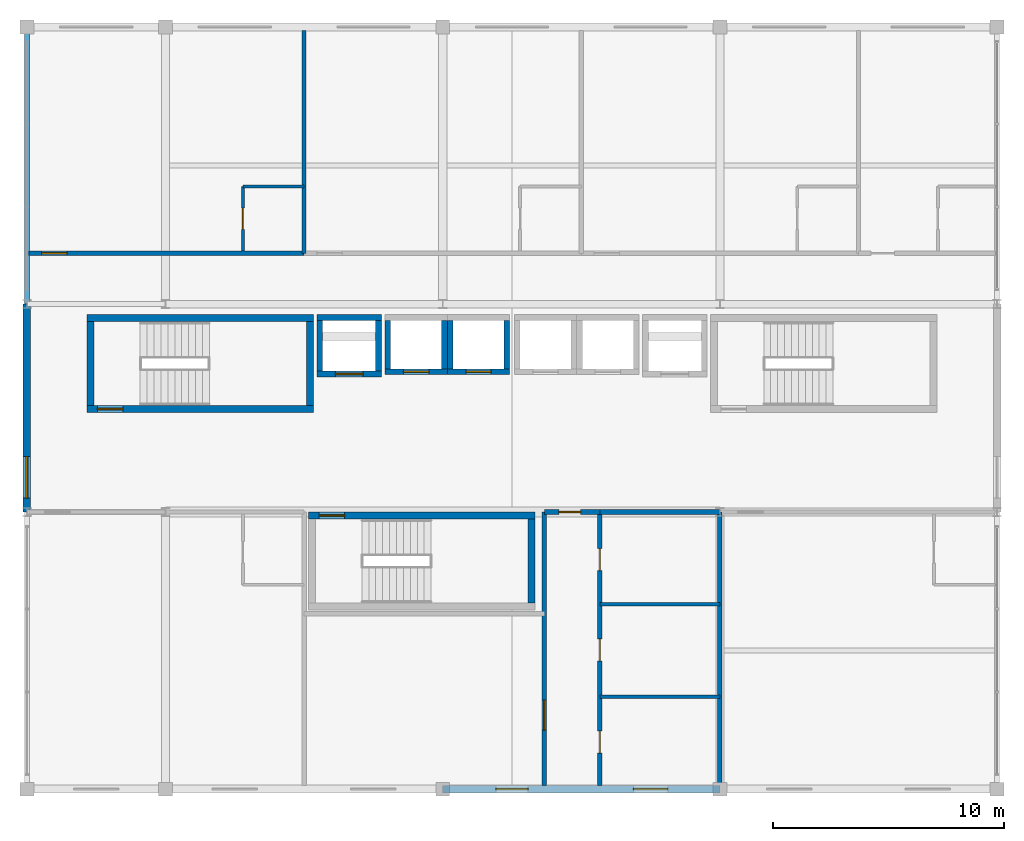
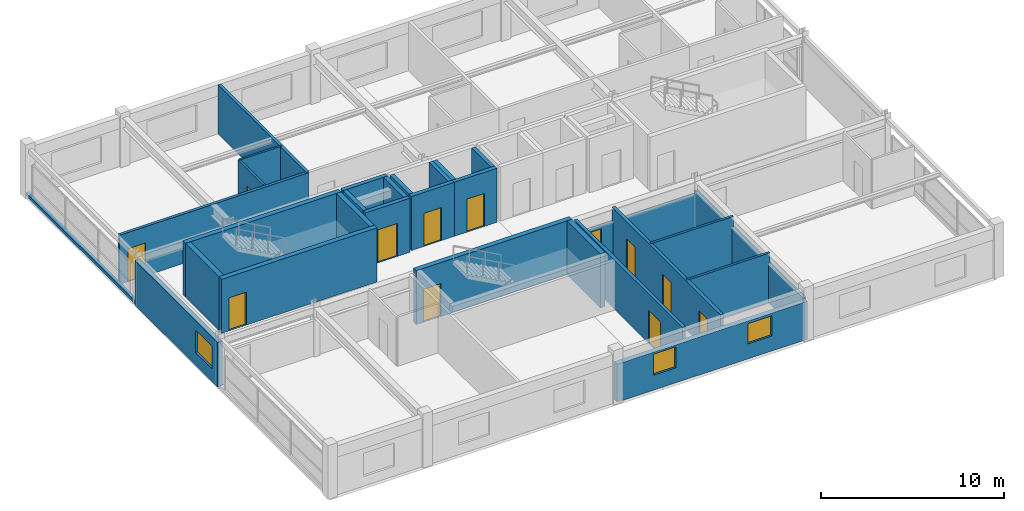
# One storey, part 19 of 22: 30 walls, 12 doors, 3 windows, 15 openings.
"""IFC4 building model written with IfcOpenShell, lengths in metres."""

import ifcopenshell
import ifcopenshell.guid

model = None  # the IFC model being written
_history = None  # IfcOwnerHistory: only IFC2X3 demands one
_inside = {}  # id of a spatial element -> (the spatial element, [elements in it])
_under = {}  # id of a project, library or spatial element -> (it, [spatial elements below it])
_declared = {}  # id of a project -> (the project, [libraries it declares])
_typed = {}  # id of a type object -> (the type object, [elements of that type])
_made_of = {}  # id of a material, layer set ... -> (it, [elements and type objects made of it])


def new_model(schema):
    """Start an empty IFC model of exactly this schema.

    Asked for "IFC4X3", IfcOpenShell would pick the latest addendum, in which some entities
    have other attributes; the version numbers below select the first issue.
    IFC2X3 requires an IfcOwnerHistory on every rooted entity: one is made here for all.
    """
    global model, _history
    if schema == "IFC4X3":
        model = ifcopenshell.file(schema_version=(4, 3, 0, 0))
    else:
        model = ifcopenshell.file(schema=schema)
    _inside.clear()
    _under.clear()
    _declared.clear()
    _typed.clear()
    _made_of.clear()
    _history = None
    if model.schema == "IFC2X3":
        org = make("IfcOrganization", Name="unknown")
        user = make(
            "IfcPersonAndOrganization",
            ThePerson=make("IfcPerson", FamilyName="unknown"),
            TheOrganization=org,
        )
        app = make(
            "IfcApplication",
            ApplicationDeveloper=org,
            Version="unknown",
            ApplicationFullName="unknown",
            ApplicationIdentifier="unknown",
        )
        _history = make(
            "IfcOwnerHistory",
            OwningUser=user,
            OwningApplication=app,
            ChangeAction="ADDED",
            CreationDate=0,
        )
    return model


def make(cls, **values):
    """One entity of the class cls with the attributes given. An attribute that is None is left unset."""
    return model.create_entity(
        cls, **{name: value for name, value in values.items() if value is not None}
    )


def rooted(cls, **values):
    """An entity with a GlobalId (a new one), such as an element, a storey or a relation."""
    return make(cls, GlobalId=ifcopenshell.guid.new(), OwnerHistory=_history, **values)


def si_unit(unit_type, name, prefix=None):
    """IfcSIUnit, for example si_unit("LENGTHUNIT", "METRE", prefix="MILLI")."""
    return make("IfcSIUnit", UnitType=unit_type, Prefix=prefix, Name=name)


def assignment(units):
    """IfcUnitAssignment: the units of a project."""
    return None if units is None else make("IfcUnitAssignment", Units=units)


def point(xyz):
    """IfcCartesianPoint."""
    return None if xyz is None else make("IfcCartesianPoint", Coordinates=xyz)


def direction(xyz):
    """IfcDirection."""
    return None if xyz is None else make("IfcDirection", DirectionRatios=xyz)


def frame(location, z_axis=None, x_axis=None):
    """IfcAxis2Placement3D, a coordinate frame: its origin and axes. An axis left out is left unset."""
    return make(
        "IfcAxis2Placement3D",
        Location=point(location),
        Axis=direction(z_axis),
        RefDirection=direction(x_axis),
    )


def frame_2d(location, x_axis=None):
    """IfcAxis2Placement2D, a coordinate frame in the plane: its origin and x axis."""
    return make(
        "IfcAxis2Placement2D", Location=point(location), RefDirection=direction(x_axis)
    )


def origin():
    """The frame at (0, 0, 0) with its axes left unset."""
    return frame((0.0, 0.0, 0.0))


def place(relative_to, where):
    """IfcLocalPlacement: puts the frame where relative to a parent placement (None: the world)."""
    return make(
        "IfcLocalPlacement", PlacementRelTo=relative_to, RelativePlacement=where
    )


def context(
    kind, dimensions, precision=None, world=None, true_north=None, identifier=None
):
    """IfcGeometricRepresentationContext, for example the 3D "Model" context."""
    return make(
        "IfcGeometricRepresentationContext",
        ContextIdentifier=identifier,
        ContextType=kind,
        CoordinateSpaceDimension=dimensions,
        Precision=precision,
        WorldCoordinateSystem=world,
        TrueNorth=true_north,
    )


def subcontext(parent, identifier, kind, view, scale=None):
    """IfcGeometricRepresentationSubContext, for example "Body" below "Model"."""
    return make(
        "IfcGeometricRepresentationSubContext",
        ContextIdentifier=identifier,
        ContextType=kind,
        ParentContext=parent,
        TargetScale=scale,
        TargetView=view,
    )


def project(units=None, contexts=None):
    """IfcProject with its units and contexts."""
    return rooted(
        "IfcProject",
        Name="project",
        RepresentationContexts=contexts,
        UnitsInContext=assignment(units),
    )


def spatial(cls, under=None, at=None, **own):
    """A site, building, storey or space (cls), placed at a placement, below another one or the project."""
    s = rooted(cls, ObjectPlacement=at, **own)
    if under is not None:
        _under.setdefault(under.id(), (under, []))[1].append(s)
    return s


def profile(cls, at=None, kind="AREA", **sizes):
    """A parametric profile (cls). Its sizes go by their IFC names, for example OverallWidth=200.0."""
    return make(cls, ProfileType=kind, Position=at, **sizes)


def rectangle(**sizes):
    """IfcRectangleProfileDef."""
    return profile("IfcRectangleProfileDef", **sizes)


def extrude(swept, where, along, depth):
    """IfcExtrudedAreaSolid: the profile swept, set in the frame where, extruded along a direction by depth."""
    return make(
        "IfcExtrudedAreaSolid",
        SweptArea=swept,
        Position=where,
        ExtrudedDirection=direction(along),
        Depth=depth,
    )


def shape(context_of_items, identifier, shape_type, items):
    """IfcShapeRepresentation: the items that make up one representation, for example the "Body"."""
    return make(
        "IfcShapeRepresentation",
        ContextOfItems=context_of_items,
        RepresentationIdentifier=identifier,
        RepresentationType=shape_type,
        Items=items,
    )


def material(Name=None, Category=None):
    """IfcMaterial."""
    return make("IfcMaterial", Name=Name, Category=Category)


def layer(
    of_material, thickness, ventilated=None, Name=None, Category=None, Priority=None
):
    """IfcMaterialLayer: one layer of a wall or slab, of a material (None: an air gap)."""
    return make(
        "IfcMaterialLayer",
        Material=of_material,
        LayerThickness=thickness,
        IsVentilated=ventilated,
        Name=Name,
        Category=Category,
        Priority=Priority,
    )


def layer_set(layers, Name=None):
    """IfcMaterialLayerSet."""
    return make("IfcMaterialLayerSet", MaterialLayers=layers, LayerSetName=Name)


def made_of(thing, what):
    """Note that an element or type object is made of a material, layer set ...; save() writes the relation."""
    if what is not None:
        _made_of.setdefault(what.id(), (what, []))[1].append(thing)
    return thing


def type_object(cls, material=None, **own):
    """A type object (cls), such as IfcWallType, which elements share."""
    return made_of(rooted(cls, **own), material)


def element(
    cls,
    number,
    at=None,
    inside=None,
    cuts=None,
    type_object=None,
    material=None,
    context=None,
    identifier="Body",
    shape_type=None,
    held_by="IfcProductDefinitionShape",
    body=None,
    shapes=None,
    **own,
):
    """One element of the class cls, such as IfcWall. Its Tag is "e" and its number.

    at: its placement. inside: the storey or other place that contains it. cuts: it is an
    opening in that element (IfcRelVoidsElement). A single representation is given by context,
    identifier, shape_type and body (its items); several are given by shapes. held_by: the class
    of the entity that holds the representations. save() writes the other relations.
    """
    e = rooted(cls, Tag="e%d" % number, ObjectPlacement=at, **own)
    if body is not None:
        shapes = [shape(context, identifier, shape_type, body)]
    if shapes is not None:
        e.Representation = make(held_by, Representations=shapes)
    if inside is not None:
        _inside.setdefault(inside.id(), (inside, []))[1].append(e)
    if cuts is not None:
        rooted(
            "IfcRelVoidsElement", RelatingBuildingElement=cuts, RelatedOpeningElement=e
        )
    if type_object is not None:
        _typed.setdefault(type_object.id(), (type_object, []))[1].append(e)
    return made_of(e, material)


def fill(opening, filler):
    """IfcRelFillsElement: the door or window that sits in an opening."""
    return rooted(
        "IfcRelFillsElement",
        RelatingOpeningElement=opening,
        RelatedBuildingElement=filler,
    )


def aggregate(whole, parts):
    """IfcRelAggregates: a whole, such as a stair, and the parts it consists of."""
    return rooted("IfcRelAggregates", RelatingObject=whole, RelatedObjects=parts)


def save(model, path):
    """Write the relations noted so far, then the file.

    IfcRelAggregates (storeys below a building ...), IfcRelContainedInSpatialStructure (elements
    in a storey), IfcRelDefinesByType, IfcRelAssociatesMaterial and IfcRelDeclares: one each for
    every whole, place, type object, material and project.
    """
    for whole, parts in _under.values():
        aggregate(whole, parts)
    for where, things in _inside.values():
        rooted(
            "IfcRelContainedInSpatialStructure",
            RelatedElements=things,
            RelatingStructure=where,
        )
    for kind, things in _typed.values():
        rooted("IfcRelDefinesByType", RelatedObjects=things, RelatingType=kind)
    for what, things in _made_of.values():
        rooted("IfcRelAssociatesMaterial", RelatedObjects=things, RelatingMaterial=what)
    for by, libraries in _declared.values():
        rooted("IfcRelDeclares", RelatingContext=by, RelatedDefinitions=libraries)
    model.write(path)


model = new_model("IFC4")

# Units and contexts
model_context = context("Model", 3, precision=1e-05, world=origin(), true_north=direction((0.0, 1.0)))
body_context = subcontext(model_context, "Body", "Model", "MODEL_VIEW")
ifc_project = project(units=[si_unit("LENGTHUNIT", "METRE"), si_unit("AREAUNIT", "SQUARE_METRE"), si_unit("VOLUMEUNIT", "CUBIC_METRE"), si_unit("PLANEANGLEUNIT", "RADIAN"), si_unit("MASSUNIT", "GRAM", prefix="KILO")], contexts=[model_context])

# Site, building, storey
site_placement = place(None, origin())
site = spatial("IfcSite", under=ifc_project, at=site_placement, CompositionType="ELEMENT")
building_placement = place(site_placement, origin())
building = spatial("IfcBuilding", under=site, at=building_placement, Name="Kaldorvane Square Convention Centre", CompositionType="ELEMENT")
storey_placement = place(building_placement, frame((0.0, 0.0, 67.19999694824219)))
storey = spatial("IfcBuildingStorey", under=building, at=storey_placement, Name="L16", CompositionType="ELEMENT", Elevation=67.19999694824219)

# Wall, opening, door
ifc_material_1 = material(Name="Fire-Rated Gypsum Board on Acoustic Steel Studs", Category="steel")
ifc_layer_1 = layer(ifc_material_1, 0.125)
ifc_layer_set_1 = layer_set([ifc_layer_1], Name="Fire-Rated Gypsum Board on Acoustic Steel Studs")
wall_type_1 = type_object("IfcWallType", Name="WL-BATH-125", PredefinedType="PARTITIONING", material=ifc_layer_set_1)
wall_1_placement = place(storey_placement, frame((45.350006103515625, 107.28999328613281, 0.0), z_axis=(0.0, 0.0, 1.0), x_axis=(0.0, 1.0, 0.0)))
wall_1 = element("IfcWall", 1, at=wall_1_placement, inside=storey, type_object=wall_type_1, Name="En-Suite 1601 West Wall", PredefinedType="PARTITIONING", context=body_context, shape_type="SweptSolid", body=[
    extrude(rectangle(XDim=2.8100128173828125, YDim=0.125, at=frame_2d((1.404998779296875, 0.0))), origin(), (0.0, 0.0, 1.0), 3.279998779296875),
])
opening_1_placement = place(wall_1_placement, frame((0.9499969482421875, 0.0, 0.0)))
opening_1 = element("IfcOpeningElement", 2, at=opening_1_placement, cuts=wall_1, Name="Opening ID-12", PredefinedType="OPENING", context=body_context, shape_type="SweptSolid", body=[
    extrude(rectangle(XDim=0.9199981689453125, YDim=2.100006103515625, at=frame_2d((0.459991455078125, 1.0500030517578125))), frame((0.0, 0.0774993896484375, 0.0), z_axis=(0.0, -1.0, 0.0), x_axis=(1.0, 0.0, 0.0)), (0.0, 0.0, 1.0), 0.154998779296875),
])
ifc_material_2 = material(Name="Architectural Solid-Core White Oak")
door_type_1 = type_object("IfcDoorType", Name="DR-BATH-0920X2100", OperationType="SINGLE_SWING_RIGHT", PredefinedType="DOOR", material=ifc_material_2)
door_1_placement = place(opening_1_placement, origin())
door_1 = element("IfcDoor", 3, at=door_1_placement, inside=storey, type_object=door_type_1, Name="En-Suite Bathroom 1601 Door", OperationType="SINGLE_SWING_RIGHT", OverallHeight=2.100006103515625, OverallWidth=0.9199981689453125, PredefinedType="DOOR", context=body_context, shape_type="SweptSolid", body=[
    extrude(rectangle(XDim=0.9199981689453125, YDim=2.100006103515625, at=frame_2d((0.459991455078125, 1.0500030517578125))), frame((0.0, 0.024993896484375, 0.0), z_axis=(0.0, -1.0, 0.0), x_axis=(1.0, 0.0, 0.0)), (0.0, 0.0, 1.0), 0.0500030517578125),
])
fill(opening_1, door_1)

# Wall
wall_2_placement = place(storey_placement, frame((45.350006103515625, 110.10000610351562, 0.0), z_axis=(0.0, 0.0, 1.0), x_axis=(1.0, 0.0, 0.0)))
element("IfcWall", 4, at=wall_2_placement, inside=storey, type_object=wall_type_1, Name="En-Suite 1601 North Wall", PredefinedType="PARTITIONING", context=body_context, shape_type="SweptSolid", body=[
    extrude(rectangle(XDim=2.649993896484375, YDim=0.125, at=frame_2d((1.3249969482421875, 0.0))), origin(), (0.0, 0.0, 1.0), 3.279998779296875),
])

# Wall, opening, door
ifc_layer_2 = layer(ifc_material_1, 0.1999969482421875)
ifc_layer_set_2 = layer_set([ifc_layer_2], Name="Fire-Rated Gypsum Board on Acoustic Steel Studs")
wall_type_2 = type_object("IfcWallType", Name="WL-CORR-200", PredefinedType="PARTITIONING", material=ifc_layer_set_2)
wall_3_placement = place(storey_placement, frame((58.399993896484375, 96.0, 0.0), z_axis=(0.0, 0.0, 1.0), x_axis=(1.0, 0.0, 0.0)))
wall_3 = element("IfcWall", 5, at=wall_3_placement, inside=storey, type_object=wall_type_2, Name="Restroom Vestibule Entry Header (L16)", PredefinedType="PARTITIONING", context=body_context, shape_type="SweptSolid", body=[
    extrude(rectangle(XDim=2.4000091552734375, YDim=0.1999969482421875, at=frame_2d((1.20001220703125, 0.0))), origin(), (0.0, 0.0, 1.0), 2.3489990234375),
])
opening_2_placement = place(wall_3_placement, frame((0.625, 0.0, 0.0)))
opening_2 = element("IfcOpeningElement", 6, at=opening_2_placement, cuts=wall_3, Name="Opening ID-13", PredefinedType="OPENING", context=body_context, shape_type="SweptSolid", body=[
    extrude(rectangle(XDim=0.9499969482421875, YDim=2.149993896484375, at=frame_2d((0.475006103515625, 1.0749969482421875))), frame((0.0, 0.114990234375, 0.0), z_axis=(0.0, -1.0, 0.0), x_axis=(1.0, 0.0, 0.0)), (0.0, 0.0, 1.0), 0.2299957275390625),
])
door_type_2 = type_object("IfcDoorType", Name="DR-WC-0950X2150", OperationType="SINGLE_SWING_LEFT", PredefinedType="DOOR", material=ifc_material_2)
door_2_placement = place(opening_2_placement, origin())
door_2 = element("IfcDoor", 7, at=door_2_placement, inside=storey, type_object=door_type_2, Name="Restroom Vestibule Door (L16)", OperationType="SINGLE_SWING_LEFT", OverallHeight=2.149993896484375, OverallWidth=0.9499969482421875, PredefinedType="DOOR", context=body_context, shape_type="SweptSolid", body=[
    extrude(rectangle(XDim=0.9499969482421875, YDim=2.149993896484375, at=frame_2d((0.475006103515625, 1.0749969482421875))), frame((0.0, 0.024993896484375, 0.0), z_axis=(0.0, -1.0, 0.0), x_axis=(1.0, 0.0, 0.0)), (0.0, 0.0, 1.0), 0.0500030517578125),
])
fill(opening_2, door_2)

wall_4_placement = place(storey_placement, frame((58.399993896484375, 84.16000366210938, 0.0), z_axis=(0.0, 0.0, 1.0), x_axis=(0.0, 1.0, 0.0)))
wall_4 = element("IfcWall", 8, at=wall_4_placement, inside=storey, type_object=wall_type_2, Name="Restroom Vestibule West Wall (L16)", PredefinedType="PARTITIONING", context=body_context, shape_type="SweptSolid", body=[
    extrude(rectangle(XDim=11.839996337890625, YDim=0.1999969482421875, at=frame_2d((5.9199981689453125, 0.0))), origin(), (0.0, 0.0, 1.0), 3.279998779296875),
])
opening_3_placement = place(wall_4_placement, frame((2.399993896484375, 0.0, 0.0)))
opening_3 = element("IfcOpeningElement", 9, at=opening_3_placement, cuts=wall_4, Name="Opening ID-09", PredefinedType="OPENING", context=body_context, shape_type="SweptSolid", body=[
    extrude(rectangle(XDim=1.3000030517578125, YDim=2.1999969482421875, at=frame_2d((0.649993896484375, 1.100006103515625))), frame((0.0, 0.114990234375, 0.0), z_axis=(0.0, -1.0, 0.0), x_axis=(1.0, 0.0, 0.0)), (0.0, 0.0, 1.0), 0.2299957275390625),
])
ifc_material_3 = material(Name="Insulated Hollow Metal Steel", Category="steel")
door_type_3 = type_object("IfcDoorType", Name="DR-SVC-1300X2200", OperationType="DOUBLE_DOOR_SINGLE_SWING", PredefinedType="DOOR", material=ifc_material_3)
door_3_placement = place(opening_3_placement, origin())
door_3 = element("IfcDoor", 10, at=door_3_placement, inside=storey, type_object=door_type_3, Name="Housekeeping and Linen Room (L16) Door", OperationType="DOUBLE_DOOR_SINGLE_SWING", OverallHeight=2.1999969482421875, OverallWidth=1.3000030517578125, PredefinedType="DOOR", context=body_context, shape_type="SweptSolid", body=[
    extrude(rectangle(XDim=1.3000030517578125, YDim=2.1999969482421875, at=frame_2d((0.649993896484375, 1.100006103515625))), frame((0.0, 0.024993896484375, 0.0), z_axis=(0.0, -1.0, 0.0), x_axis=(1.0, 0.0, 0.0)), (0.0, 0.0, 1.0), 0.0500030517578125),
])
fill(opening_3, door_3)

# Wall, openings, doors
wall_5_placement = place(storey_placement, frame((60.80000305175781, 84.16000366210938, 0.0), z_axis=(0.0, 0.0, 1.0), x_axis=(0.0, 1.0, 0.0)))
wall_5 = element("IfcWall", 11, at=wall_5_placement, inside=storey, type_object=wall_type_2, Name="Restroom Vestibule East Wall (L16)", PredefinedType="PARTITIONING", context=body_context, shape_type="SweptSolid", body=[
    extrude(rectangle(XDim=11.839996337890625, YDim=0.1999969482421875, at=frame_2d((5.9199981689453125, 0.0))), origin(), (0.0, 0.0, 1.0), 3.279998779296875),
])
opening_4_placement = place(wall_5_placement, frame((1.399993896484375, 0.0, 0.0)))
opening_4 = element("IfcOpeningElement", 12, at=opening_4_placement, cuts=wall_5, Name="Opening ID-13", PredefinedType="OPENING", context=body_context, shape_type="SweptSolid", body=[
    extrude(rectangle(XDim=0.9499969482421875, YDim=2.149993896484375, at=frame_2d((0.475006103515625, 1.0749969482421875))), frame((0.0, 0.114990234375, 0.0), z_axis=(0.0, -1.0, 0.0), x_axis=(1.0, 0.0, 0.0)), (0.0, 0.0, 1.0), 0.2299957275390625),
])
opening_5_placement = place(wall_5_placement, frame((5.399993896484375, 0.0, 0.0)))
opening_5 = element("IfcOpeningElement", 13, at=opening_5_placement, cuts=wall_5, Name="Opening ID-13", PredefinedType="OPENING", context=body_context, shape_type="SweptSolid", body=[
    extrude(rectangle(XDim=0.9499969482421875, YDim=2.149993896484375, at=frame_2d((0.475006103515625, 1.0749969482421875))), frame((0.0, 0.114990234375, 0.0), z_axis=(0.0, -1.0, 0.0), x_axis=(1.0, 0.0, 0.0)), (0.0, 0.0, 1.0), 0.2299957275390625),
])
opening_6_placement = place(wall_5_placement, frame((9.300003051757812, 0.0, 0.0)))
opening_6 = element("IfcOpeningElement", 14, at=opening_6_placement, cuts=wall_5, Name="Opening ID-13", PredefinedType="OPENING", context=body_context, shape_type="SweptSolid", body=[
    extrude(rectangle(XDim=0.9499969482421875, YDim=2.149993896484375, at=frame_2d((0.475006103515625, 1.0749969482421875))), frame((0.0, 0.114990234375, 0.0), z_axis=(0.0, -1.0, 0.0), x_axis=(1.0, 0.0, 0.0)), (0.0, 0.0, 1.0), 0.2299957275390625),
])
door_4_placement = place(opening_4_placement, origin())
door_4 = element("IfcDoor", 15, at=door_4_placement, inside=storey, type_object=door_type_2, Name="Accessible Restroom Door (L16)", OperationType="SINGLE_SWING_LEFT", OverallHeight=2.149993896484375, OverallWidth=0.9499969482421875, PredefinedType="DOOR", context=body_context, shape_type="SweptSolid", body=[
    extrude(rectangle(XDim=0.9499969482421875, YDim=2.149993896484375, at=frame_2d((0.475006103515625, 1.0749969482421875))), frame((0.0, 0.024993896484375, 0.0), z_axis=(0.0, -1.0, 0.0), x_axis=(1.0, 0.0, 0.0)), (0.0, 0.0, 1.0), 0.0500030517578125),
])
fill(opening_4, door_4)
door_5_placement = place(opening_5_placement, origin())
door_5 = element("IfcDoor", 16, at=door_5_placement, inside=storey, type_object=door_type_2, Name="Men's Restroom Door (L16)", OperationType="SINGLE_SWING_LEFT", OverallHeight=2.149993896484375, OverallWidth=0.9499969482421875, PredefinedType="DOOR", context=body_context, shape_type="SweptSolid", body=[
    extrude(rectangle(XDim=0.9499969482421875, YDim=2.149993896484375, at=frame_2d((0.475006103515625, 1.0749969482421875))), frame((0.0, 0.024993896484375, 0.0), z_axis=(0.0, -1.0, 0.0), x_axis=(1.0, 0.0, 0.0)), (0.0, 0.0, 1.0), 0.0500030517578125),
])
fill(opening_5, door_5)
door_6_placement = place(opening_6_placement, origin())
door_6 = element("IfcDoor", 17, at=door_6_placement, inside=storey, type_object=door_type_2, Name="Women's Restroom Door (L16)", OperationType="SINGLE_SWING_LEFT", OverallHeight=2.149993896484375, OverallWidth=0.9499969482421875, PredefinedType="DOOR", context=body_context, shape_type="SweptSolid", body=[
    extrude(rectangle(XDim=0.9499969482421875, YDim=2.149993896484375, at=frame_2d((0.475006103515625, 1.0749969482421875))), frame((0.0, 0.024993896484375, 0.0), z_axis=(0.0, -1.0, 0.0), x_axis=(1.0, 0.0, 0.0)), (0.0, 0.0, 1.0), 0.0500030517578125),
])
fill(opening_6, door_6)

# Walls
wall_6_placement = place(storey_placement, frame((66.0, 84.16000366210938, 0.0), z_axis=(0.0, 0.0, 1.0), x_axis=(0.0, 1.0, 0.0)))
element("IfcWall", 18, at=wall_6_placement, inside=storey, type_object=wall_type_2, Name="Restroom East Wall (L16)", PredefinedType="PARTITIONING", context=body_context, shape_type="SweptSolid", body=[
    extrude(rectangle(XDim=11.839996337890625, YDim=0.1999969482421875, at=frame_2d((5.9199981689453125, 0.0))), origin(), (0.0, 0.0, 1.0), 2.5800018310546875),
])
wall_7_placement = place(storey_placement, frame((60.80000305175781, 96.0, 0.0), z_axis=(0.0, 0.0, 1.0), x_axis=(1.0, 0.0, 0.0)))
element("IfcWall", 19, at=wall_7_placement, inside=storey, type_object=wall_type_2, Name="Restroom North Wall (L16)", PredefinedType="PARTITIONING", context=body_context, shape_type="SweptSolid", body=[
    extrude(rectangle(XDim=5.1999969482421875, YDim=0.1999969482421875, at=frame_2d((2.600006103515625, 0.0))), origin(), (0.0, 0.0, 1.0), 2.3489990234375),
])

# Wall, openings, windows
ifc_material_4 = material(Name="Concrete f'c = 35 MPa (Normalweight)", Category="concrete")
ifc_layer_3 = layer(ifc_material_4, 0.32000732421875)
ifc_layer_set_3 = layer_set([ifc_layer_3], Name="Concrete f'c = 35 MPa (Normalweight)")
wall_type_3 = type_object("IfcWallType", Name="WL-EXT-320", PredefinedType="STANDARD", material=ifc_layer_set_3)
wall_8_placement = place(storey_placement, frame((54.0, 84.0, 0.0), z_axis=(0.0, 0.0, 1.0), x_axis=(1.0, 0.0, 0.0)))
wall_8 = element("IfcWall", 20, at=wall_8_placement, inside=storey, type_object=wall_type_3, Name="Hotel S Brutalist Facade Wall (L16)", PredefinedType="STANDARD", context=body_context, shape_type="SweptSolid", body=[
    extrude(rectangle(XDim=12.0, YDim=0.32000732421875, at=frame_2d((6.0, 0.0))), origin(), (0.0, 0.0, 1.0), 2.5260009765625),
])
opening_7_placement = place(wall_8_placement, frame((2.3000030517578125, 0.0, 1.0)))
opening_7 = element("IfcOpeningElement", 21, at=opening_7_placement, cuts=wall_8, Name="Opening W-13", PredefinedType="OPENING", context=body_context, shape_type="SweptSolid", body=[
    extrude(rectangle(XDim=1.399993896484375, YDim=1.399993896484375, at=frame_2d((0.6999969482421875, 0.6999969482421875))), frame((0.0, 0.1750030517578125, 0.0), z_axis=(0.0, -1.0, 0.0), x_axis=(1.0, 0.0, 0.0)), (0.0, 0.0, 1.0), 0.350006103515625),
])
opening_8_placement = place(wall_8_placement, frame((8.25, 0.0, 1.0)))
opening_8 = element("IfcOpeningElement", 22, at=opening_8_placement, cuts=wall_8, Name="Opening W-14", PredefinedType="OPENING", context=body_context, shape_type="SweptSolid", body=[
    extrude(rectangle(XDim=1.5, YDim=1.350006103515625, at=frame_2d((0.75, 0.6750030517578125))), frame((0.0, 0.1750030517578125, 0.0), z_axis=(0.0, -1.0, 0.0), x_axis=(1.0, 0.0, 0.0)), (0.0, 0.0, 1.0), 0.350006103515625),
])
ifc_material_5 = material(Name="Anodized Aluminum and Low-E Insulated Glazing", Category="aluminium")
window_type_1 = type_object("IfcWindowType", Name="WN-HTL-1400X1400", PartitioningType="SINGLE_PANEL", PredefinedType="WINDOW", material=ifc_material_5)
window_1_placement = place(opening_7_placement, origin())
window_1 = element("IfcWindow", 23, at=window_1_placement, inside=storey, type_object=window_type_1, Name="Hotel S Window (L16)", OverallHeight=1.399993896484375, OverallWidth=1.399993896484375, PartitioningType="SINGLE_PANEL", PredefinedType="WINDOW", context=body_context, shape_type="SweptSolid", body=[
    extrude(rectangle(XDim=1.399993896484375, YDim=1.399993896484375, at=frame_2d((0.6999969482421875, 0.6999969482421875))), frame((0.0, 0.029998779296875, 0.0), z_axis=(0.0, -1.0, 0.0), x_axis=(1.0, 0.0, 0.0)), (0.0, 0.0, 1.0), 0.05999755859375),
])
fill(opening_7, window_1)
window_type_2 = type_object("IfcWindowType", Name="WN-HTL-1500X1350", PartitioningType="SINGLE_PANEL", PredefinedType="WINDOW", material=ifc_material_5)
window_2_placement = place(opening_8_placement, origin())
window_2 = element("IfcWindow", 24, at=window_2_placement, inside=storey, type_object=window_type_2, Name="Hotel S Window (L16)", OverallHeight=1.350006103515625, OverallWidth=1.5, PartitioningType="SINGLE_PANEL", PredefinedType="WINDOW", context=body_context, shape_type="SweptSolid", body=[
    extrude(rectangle(XDim=1.5, YDim=1.350006103515625, at=frame_2d((0.75, 0.6750030517578125))), frame((0.0, 0.029998779296875, 0.0), z_axis=(0.0, -1.0, 0.0), x_axis=(1.0, 0.0, 0.0)), (0.0, 0.0, 1.0), 0.05999755859375),
])
fill(opening_8, window_2)

# Wall, opening, window
wall_9_placement = place(storey_placement, frame((36.0, 105.0, 0.0), z_axis=(0.0, 0.0, 1.0), x_axis=(0.0, -1.0, 0.0)))
wall_9 = element("IfcWall", 25, at=wall_9_placement, inside=storey, type_object=wall_type_3, Name="Hotel W End Wall (L16)", PredefinedType="STANDARD", context=body_context, shape_type="SweptSolid", body=[
    extrude(rectangle(XDim=9.0, YDim=0.32000732421875, at=frame_2d((4.5, 0.0))), origin(), (0.0, 0.0, 1.0), 2.97100830078125),
])
opening_9_placement = place(wall_9_placement, frame((6.600006103515625, 0.0, 0.850006103515625)))
opening_9 = element("IfcOpeningElement", 26, at=opening_9_placement, cuts=wall_9, Name="Opening W-11", PredefinedType="OPENING", context=body_context, shape_type="SweptSolid", body=[
    extrude(rectangle(XDim=1.8000030517578125, YDim=1.5, at=frame_2d((0.899993896484375, 0.75))), frame((0.0, 0.1750030517578125, 0.0), z_axis=(0.0, -1.0, 0.0), x_axis=(1.0, 0.0, 0.0)), (0.0, 0.0, 1.0), 0.350006103515625),
])
window_type_3 = type_object("IfcWindowType", Name="WN-HTL-1800X1500", PartitioningType="SINGLE_PANEL", PredefinedType="WINDOW", material=ifc_material_5)
window_3_placement = place(opening_9_placement, origin())
window_3 = element("IfcWindow", 27, at=window_3_placement, inside=storey, type_object=window_type_3, Name="Hotel End Window W (L16)", OverallHeight=1.5, OverallWidth=1.8000030517578125, PartitioningType="SINGLE_PANEL", PredefinedType="WINDOW", context=body_context, shape_type="SweptSolid", body=[
    extrude(rectangle(XDim=1.8000030517578125, YDim=1.5, at=frame_2d((0.899993896484375, 0.75))), frame((0.0, 0.029998779296875, 0.0), z_axis=(0.0, -1.0, 0.0), x_axis=(1.0, 0.0, 0.0)), (0.0, 0.0, 1.0), 0.05999755859375),
])
fill(opening_9, window_3)

# Walls
ifc_layer_4 = layer(ifc_material_4, 0.220001220703125)
ifc_layer_set_4 = layer_set([ifc_layer_4], Name="Concrete f'c = 35 MPa (Normalweight)")
wall_type_4 = type_object("IfcWallType", Name="WL-PAR-220", PredefinedType="PARAPET", material=ifc_layer_set_4)
wall_10_placement = place(storey_placement, frame((36.0, 117.0, 0.0), z_axis=(0.0, 0.0, 1.0), x_axis=(0.0, -1.0, 0.0)))
element("IfcWall", 28, at=wall_10_placement, inside=storey, type_object=wall_type_4, Name="Hotel End Curtain-Wall Sill (L16)", PredefinedType="PARAPET", context=body_context, shape_type="SweptSolid", body=[
    extrude(rectangle(XDim=12.0, YDim=0.220001220703125, at=frame_2d((6.0, 0.0))), origin(), (0.0, 0.0, 1.0), 0.1999969482421875),
])
ifc_layer_5 = layer(ifc_material_1, 0.149993896484375)
ifc_layer_set_5 = layer_set([ifc_layer_5], Name="Fire-Rated Gypsum Board on Acoustic Steel Studs")
wall_type_5 = type_object("IfcWallType", Name="WL-PART-150", PredefinedType="PARTITIONING", material=ifc_layer_set_5)
for number, where, z_axis, x_axis, name in (
    (29, (60.80000305175781, 88.0, 0.0), (0.0, 0.0, 1.0), (1.0, 0.0, 0.0), "Restroom Partition 1 (L16)"),
    (30, (60.80000305175781, 92.0, 0.0), (0.0, 0.0, 1.0), (1.0, 0.0, 0.0), "Restroom Partition 2 (L16)"),
):
    element("IfcWall", number, at=place(storey_placement, frame(where, z_axis=z_axis, x_axis=x_axis)), inside=storey, type_object=wall_type_5, Name=name, PredefinedType="PARTITIONING", context=body_context, shape_type="SweptSolid", body=[
        extrude(rectangle(XDim=5.1999969482421875, YDim=0.149993896484375, at=frame_2d((2.600006103515625, 0.0))), origin(), (0.0, 0.0, 1.0), 3.279998779296875),
    ])

# Wall, opening, door
ifc_material_6 = material(Name="Concrete f'c = 55 MPa (Normalweight)", Category="concrete")
ifc_layer_6 = layer(ifc_material_6, 0.3000030517578125)
ifc_layer_set_6 = layer_set([ifc_layer_6], Name="Concrete f'c = 55 MPa (Normalweight)")
wall_type_6 = type_object("IfcWallType", Name="WL-SHAFT-300", PredefinedType="SHEAR", material=ifc_layer_set_6)
wall_11_placement = place(storey_placement, frame((38.600006103515625, 100.46000671386719, 0.0), z_axis=(0.0, 0.0, 1.0), x_axis=(1.0, 0.0, 0.0)))
wall_11 = element("IfcWall", 31, at=wall_11_placement, inside=storey, type_object=wall_type_6, Name="Core Enclosure Wall stair:ST-T1-S (L16)", PredefinedType="SHEAR", context=body_context, shape_type="SweptSolid", body=[
    extrude(rectangle(XDim=9.79998779296875, YDim=0.3000030517578125, at=frame_2d((4.899993896484375, 0.0))), origin(), (0.0, 0.0, 1.0), 3.600006103515625),
])
opening_10_placement = place(wall_11_placement, frame((0.4499969482421875, 0.0, 0.0)))
opening_10 = element("IfcOpeningElement", 32, at=opening_10_placement, cuts=wall_11, Name="Opening FD90-S1", PredefinedType="OPENING", context=body_context, shape_type="SweptSolid", body=[
    extrude(rectangle(XDim=1.100006103515625, YDim=2.1999969482421875, at=frame_2d((0.5500030517578125, 1.100006103515625))), frame((0.0, 0.165008544921875, 0.0), z_axis=(0.0, -1.0, 0.0), x_axis=(1.0, 0.0, 0.0)), (0.0, 0.0, 1.0), 0.3300018310546875),
])
ifc_material_7 = material(Name="Fire-Rated Hollow Metal Steel", Category="steel")
door_type_4 = type_object("IfcDoorType", Name="DR-STAIR-1100", OperationType="SINGLE_SWING_RIGHT", PredefinedType="DOOR", material=ifc_material_7)
door_7_placement = place(opening_10_placement, origin())
door_7 = element("IfcDoor", 33, at=door_7_placement, inside=storey, type_object=door_type_4, Name="Tower Exit Stair T1 Fire Door (L16)", OperationType="SINGLE_SWING_RIGHT", OverallHeight=2.1999969482421875, OverallWidth=1.100006103515625, PredefinedType="DOOR", context=body_context, shape_type="SweptSolid", body=[
    extrude(rectangle(XDim=1.100006103515625, YDim=2.1999969482421875, at=frame_2d((0.5500030517578125, 1.100006103515625))), frame((0.0, 0.024993896484375, 0.0), z_axis=(0.0, -1.0, 0.0), x_axis=(1.0, 0.0, 0.0)), (0.0, 0.0, 1.0), 0.0500030517578125),
])
fill(opening_10, door_7)

# Walls
wall_12_placement = place(storey_placement, frame((48.399993896484375, 104.39999389648438, 0.0), z_axis=(0.0, 0.0, 1.0), x_axis=(-1.0, 0.0, 0.0)))
element("IfcWall", 34, at=wall_12_placement, inside=storey, type_object=wall_type_6, Name="Core Enclosure Wall stair:ST-T1-N (L16)", PredefinedType="SHEAR", context=body_context, shape_type="SweptSolid", body=[
    extrude(rectangle(XDim=9.79998779296875, YDim=0.3000030517578125, at=frame_2d((4.899993896484375, 0.0))), origin(), (0.0, 0.0, 1.0), 3.600006103515625),
])
for number, where, z_axis, x_axis, name in (
    (35, (38.75, 104.25, 0.0), (0.0, 0.0, 1.0), (0.0, -1.0, 0.0), "Core Enclosure Wall stair:ST-T1-W (L16)"),
    (36, (48.25, 100.61000061035156, 0.0), (0.0, 0.0, 1.0), (0.0, 1.0, 0.0), "Core Enclosure Wall stair:ST-T1-E (L16)"),
):
    element("IfcWall", number, at=place(storey_placement, frame(where, z_axis=z_axis, x_axis=x_axis)), inside=storey, type_object=wall_type_6, Name=name, PredefinedType="SHEAR", context=body_context, shape_type="SweptSolid", body=[
        extrude(rectangle(XDim=3.6399993896484375, YDim=0.3000030517578125, at=frame_2d((1.82000732421875, 0.0))), origin(), (0.0, 0.0, 1.0), 3.600006103515625),
    ])

# Wall, opening, door
wall_13_placement = place(storey_placement, frame((58.0, 95.85000610351562, 0.0), z_axis=(0.0, 0.0, 1.0), x_axis=(-1.0, 0.0, 0.0)))
wall_13 = element("IfcWall", 37, at=wall_13_placement, inside=storey, type_object=wall_type_6, Name="Core Enclosure Wall stair:ST-T3-N (L16)", PredefinedType="SHEAR", context=body_context, shape_type="SweptSolid", body=[
    extrude(rectangle(XDim=9.800003051757812, YDim=0.3000030517578125, at=frame_2d((4.899993896484375, 0.0))), origin(), (0.0, 0.0, 1.0), 3.600006103515625),
])
opening_11_placement = place(wall_13_placement, frame((8.25, 0.0, 0.0)))
opening_11 = element("IfcOpeningElement", 38, at=opening_11_placement, cuts=wall_13, Name="Opening FD90-S1", PredefinedType="OPENING", context=body_context, shape_type="SweptSolid", body=[
    extrude(rectangle(XDim=1.100006103515625, YDim=2.1999969482421875, at=frame_2d((0.5500030517578125, 1.100006103515625))), frame((0.0, 0.165008544921875, 0.0), z_axis=(0.0, -1.0, 0.0), x_axis=(1.0, 0.0, 0.0)), (0.0, 0.0, 1.0), 0.3300018310546875),
])
door_8_placement = place(opening_11_placement, origin())
door_8 = element("IfcDoor", 39, at=door_8_placement, inside=storey, type_object=door_type_4, Name="Tower Exit Stair T3 Fire Door (L16)", OperationType="SINGLE_SWING_RIGHT", OverallHeight=2.1999969482421875, OverallWidth=1.100006103515625, PredefinedType="DOOR", context=body_context, shape_type="SweptSolid", body=[
    extrude(rectangle(XDim=1.100006103515625, YDim=2.1999969482421875, at=frame_2d((0.5500030517578125, 1.100006103515625))), frame((0.0, 0.024993896484375, 0.0), z_axis=(0.0, -1.0, 0.0), x_axis=(1.0, 0.0, 0.0)), (0.0, 0.0, 1.0), 0.0500030517578125),
])
fill(opening_11, door_8)

# Wall
wall_14_placement = place(storey_placement, frame((57.850006103515625, 92.05999755859375, 0.0), z_axis=(0.0, 0.0, 1.0), x_axis=(0.0, 1.0, 0.0)))
element("IfcWall", 40, at=wall_14_placement, inside=storey, type_object=wall_type_6, Name="Core Enclosure Wall stair:ST-T3-E (L16)", PredefinedType="SHEAR", context=body_context, shape_type="SweptSolid", body=[
    extrude(rectangle(XDim=3.6399993896484375, YDim=0.3000030517578125, at=frame_2d((1.82000732421875, 0.0))), origin(), (0.0, 0.0, 1.0), 3.600006103515625),
])

# Wall, opening, door
wall_15_placement = place(storey_placement, frame((48.55000305175781, 101.97500610351562, 0.0), z_axis=(0.0, 0.0, 1.0), x_axis=(1.0, 0.0, 0.0)))
wall_15 = element("IfcWall", 41, at=wall_15_placement, inside=storey, type_object=wall_type_6, Name="Core Enclosure Wall lift:FSAE-01-S (L16)", PredefinedType="SHEAR", context=body_context, shape_type="SweptSolid", body=[
    extrude(rectangle(XDim=2.8000030517578125, YDim=0.25, at=frame_2d((1.399993896484375, 0.0))), origin(), (0.0, 0.0, 1.0), 3.600006103515625),
])
opening_12_placement = place(wall_15_placement, frame((0.8000030517578125, 0.0, 0.0)))
opening_12 = element("IfcOpeningElement", 42, at=opening_12_placement, cuts=wall_15, Name="Opening LD-02", PredefinedType="OPENING", context=body_context, shape_type="SweptSolid", body=[
    extrude(rectangle(XDim=1.1999969482421875, YDim=2.1999969482421875, at=frame_2d((0.600006103515625, 1.100006103515625))), frame((0.0, 0.1399993896484375, 0.0), z_axis=(0.0, -1.0, 0.0), x_axis=(1.0, 0.0, 0.0)), (0.0, 0.0, 1.0), 0.279998779296875),
])
ifc_material_8 = material(Name="Stainless Steel Elevator Door Assembly", Category="steel")
door_type_5 = type_object("IfcDoorType", Name="DR-LIFT-1200", OperationType="DOUBLE_DOOR_SLIDING", PredefinedType="DOOR", material=ifc_material_8)
door_9_placement = place(opening_12_placement, origin())
door_9 = element("IfcDoor", 43, at=door_9_placement, inside=storey, type_object=door_type_5, Name="Elevator Landing Door FSAE-01 (L16)", OperationType="DOUBLE_DOOR_SLIDING", OverallHeight=2.1999969482421875, OverallWidth=1.1999969482421875, PredefinedType="DOOR", context=body_context, shape_type="SweptSolid", body=[
    extrude(rectangle(XDim=1.1999969482421875, YDim=2.1999969482421875, at=frame_2d((0.600006103515625, 1.100006103515625))), frame((0.0, 0.024993896484375, 0.0), z_axis=(0.0, -1.0, 0.0), x_axis=(1.0, 0.0, 0.0)), (0.0, 0.0, 1.0), 0.0500030517578125),
])
fill(opening_12, door_9)

# Walls
wall_16_placement = place(storey_placement, frame((51.350006103515625, 104.42500305175781, 0.0), z_axis=(0.0, 0.0, 1.0), x_axis=(-1.0, 0.0, 0.0)))
element("IfcWall", 44, at=wall_16_placement, inside=storey, type_object=wall_type_6, Name="Core Enclosure Wall lift:FSAE-01-N (L16)", PredefinedType="SHEAR", context=body_context, shape_type="SweptSolid", body=[
    extrude(rectangle(XDim=2.8000030517578125, YDim=0.25, at=frame_2d((1.399993896484375, 0.0))), origin(), (0.0, 0.0, 1.0), 3.600006103515625),
])
for number, where, z_axis, x_axis, name in (
    (45, (48.67500305175781, 104.30000305175781, 0.0), (0.0, 0.0, 1.0), (0.0, -1.0, 0.0), "Core Enclosure Wall lift:FSAE-01-W (L16)"),
    (46, (51.225006103515625, 102.10000610351562, 0.0), (0.0, 0.0, 1.0), (0.0, 1.0, 0.0), "Core Enclosure Wall lift:FSAE-01-E (L16)"),
):
    element("IfcWall", number, at=place(storey_placement, frame(where, z_axis=z_axis, x_axis=x_axis)), inside=storey, type_object=wall_type_6, Name=name, PredefinedType="SHEAR", context=body_context, shape_type="SweptSolid", body=[
        extrude(rectangle(XDim=2.1999969482421875, YDim=0.25, at=frame_2d((1.100006103515625, 0.0))), origin(), (0.0, 0.0, 1.0), 3.600006103515625),
    ])

# Wall, opening, door
wall_17_placement = place(storey_placement, frame((51.5, 102.07499694824219, 0.0), z_axis=(0.0, 0.0, 1.0), x_axis=(1.0, 0.0, 0.0)))
wall_17 = element("IfcWall", 47, at=wall_17_placement, inside=storey, type_object=wall_type_6, Name="Core Enclosure Wall lift:EL-P1-S (L16)", PredefinedType="SHEAR", context=body_context, shape_type="SweptSolid", body=[
    extrude(rectangle(XDim=2.6999969482421875, YDim=0.25, at=frame_2d((1.350006103515625, 0.0))), origin(), (0.0, 0.0, 1.0), 3.600006103515625),
])
opening_13_placement = place(wall_17_placement, frame((0.8000030517578125, 0.0, 0.0)))
opening_13 = element("IfcOpeningElement", 48, at=opening_13_placement, cuts=wall_17, Name="Opening LD-01", PredefinedType="OPENING", context=body_context, shape_type="SweptSolid", body=[
    extrude(rectangle(XDim=1.100006103515625, YDim=2.1999969482421875, at=frame_2d((0.5500030517578125, 1.100006103515625))), frame((0.0, 0.1399993896484375, 0.0), z_axis=(0.0, -1.0, 0.0), x_axis=(1.0, 0.0, 0.0)), (0.0, 0.0, 1.0), 0.279998779296875),
])
door_type_6 = type_object("IfcDoorType", Name="DR-LIFT-1100", OperationType="DOUBLE_DOOR_SLIDING", PredefinedType="DOOR", material=ifc_material_8)
door_10_placement = place(opening_13_placement, origin())
door_10 = element("IfcDoor", 49, at=door_10_placement, inside=storey, type_object=door_type_6, Name="Elevator Landing Door EL-P1 (L16)", OperationType="DOUBLE_DOOR_SLIDING", OverallHeight=2.1999969482421875, OverallWidth=1.100006103515625, PredefinedType="DOOR", context=body_context, shape_type="SweptSolid", body=[
    extrude(rectangle(XDim=1.100006103515625, YDim=2.1999969482421875, at=frame_2d((0.5500030517578125, 1.100006103515625))), frame((0.0, 0.024993896484375, 0.0), z_axis=(0.0, -1.0, 0.0), x_axis=(1.0, 0.0, 0.0)), (0.0, 0.0, 1.0), 0.0500030517578125),
])
fill(opening_13, door_10)

# Walls
for number, where, z_axis, x_axis, name in (
    (50, (51.625, 104.30000305175781, 0.0), (0.0, 0.0, 1.0), (0.0, -1.0, 0.0), "Core Enclosure Wall lift:EL-P1-W (L16)"),
    (51, (54.07499694824219, 102.19999694824219, 0.0), (0.0, 0.0, 1.0), (0.0, 1.0, 0.0), "Core Enclosure Wall lift:EL-P1-E (L16)"),
):
    element("IfcWall", number, at=place(storey_placement, frame(where, z_axis=z_axis, x_axis=x_axis)), inside=storey, type_object=wall_type_6, Name=name, PredefinedType="SHEAR", context=body_context, shape_type="SweptSolid", body=[
        extrude(rectangle(XDim=2.100006103515625, YDim=0.25, at=frame_2d((1.0500030517578125, 0.0))), origin(), (0.0, 0.0, 1.0), 3.600006103515625),
    ])

# Wall, opening, door
wall_18_placement = place(storey_placement, frame((54.19999694824219, 102.07499694824219, 0.0), z_axis=(0.0, 0.0, 1.0), x_axis=(1.0, 0.0, 0.0)))
wall_18 = element("IfcWall", 52, at=wall_18_placement, inside=storey, type_object=wall_type_6, Name="Core Enclosure Wall lift:EL-P2-S (L16)", PredefinedType="SHEAR", context=body_context, shape_type="SweptSolid", body=[
    extrude(rectangle(XDim=2.6999969482421875, YDim=0.25, at=frame_2d((1.350006103515625, 0.0))), origin(), (0.0, 0.0, 1.0), 3.600006103515625),
])
opening_14_placement = place(wall_18_placement, frame((0.8000030517578125, 0.0, 0.0)))
opening_14 = element("IfcOpeningElement", 53, at=opening_14_placement, cuts=wall_18, Name="Opening LD-01", PredefinedType="OPENING", context=body_context, shape_type="SweptSolid", body=[
    extrude(rectangle(XDim=1.100006103515625, YDim=2.1999969482421875, at=frame_2d((0.5500030517578125, 1.100006103515625))), frame((0.0, 0.1399993896484375, 0.0), z_axis=(0.0, -1.0, 0.0), x_axis=(1.0, 0.0, 0.0)), (0.0, 0.0, 1.0), 0.279998779296875),
])
door_11_placement = place(opening_14_placement, origin())
door_11 = element("IfcDoor", 54, at=door_11_placement, inside=storey, type_object=door_type_6, Name="Elevator Landing Door EL-P2 (L16)", OperationType="DOUBLE_DOOR_SLIDING", OverallHeight=2.1999969482421875, OverallWidth=1.100006103515625, PredefinedType="DOOR", context=body_context, shape_type="SweptSolid", body=[
    extrude(rectangle(XDim=1.100006103515625, YDim=2.1999969482421875, at=frame_2d((0.5500030517578125, 1.100006103515625))), frame((0.0, 0.024993896484375, 0.0), z_axis=(0.0, -1.0, 0.0), x_axis=(1.0, 0.0, 0.0)), (0.0, 0.0, 1.0), 0.0500030517578125),
])
fill(opening_14, door_11)

# Walls
for number, where, z_axis, x_axis, name in (
    (55, (54.32499694824219, 104.30000305175781, 0.0), (0.0, 0.0, 1.0), (0.0, -1.0, 0.0), "Core Enclosure Wall lift:EL-P2-W (L16)"),
    (56, (56.774993896484375, 102.19999694824219, 0.0), (0.0, 0.0, 1.0), (0.0, 1.0, 0.0), "Core Enclosure Wall lift:EL-P2-E (L16)"),
):
    element("IfcWall", number, at=place(storey_placement, frame(where, z_axis=z_axis, x_axis=x_axis)), inside=storey, type_object=wall_type_6, Name=name, PredefinedType="SHEAR", context=body_context, shape_type="SweptSolid", body=[
        extrude(rectangle(XDim=2.100006103515625, YDim=0.25, at=frame_2d((1.0500030517578125, 0.0))), origin(), (0.0, 0.0, 1.0), 3.600006103515625),
    ])

# Wall, opening, door
ifc_layer_7 = layer(ifc_material_1, 0.17999267578125)
ifc_layer_set_7 = layer_set([ifc_layer_7], Name="Fire-Rated Gypsum Board on Acoustic Steel Studs")
wall_type_7 = type_object("IfcWallType", Name="WL-UNIT-180", PredefinedType="PARTITIONING", material=ifc_layer_set_7)
wall_19_placement = place(storey_placement, frame((36.08500671386719, 107.19999694824219, 0.0), z_axis=(0.0, 0.0, 1.0), x_axis=(1.0, 0.0, 0.0)))
wall_19 = element("IfcWall", 57, at=wall_19_placement, inside=storey, type_object=wall_type_7, Name="Presidential Suite 1601 Corridor Wall", PredefinedType="PARTITIONING", context=body_context, shape_type="SweptSolid", body=[
    extrude(rectangle(XDim=11.914993286132812, YDim=0.17999267578125, at=frame_2d((5.957489013671875, 0.0))), origin(), (0.0, 0.0, 1.0), 3.279998779296875),
])
opening_15_placement = place(wall_19_placement, frame((0.5500030517578125, 0.0, 0.0)))
opening_15 = element("IfcOpeningElement", 58, at=opening_15_placement, cuts=wall_19, Name="Opening ID-11", PredefinedType="OPENING", context=body_context, shape_type="SweptSolid", body=[
    extrude(rectangle(XDim=1.100006103515625, YDim=2.1999969482421875, at=frame_2d((0.5500030517578125, 1.100006103515625))), frame((0.0, 0.1049957275390625, 0.0), z_axis=(0.0, -1.0, 0.0), x_axis=(1.0, 0.0, 0.0)), (0.0, 0.0, 1.0), 0.209991455078125),
])
door_type_7 = type_object("IfcDoorType", Name="DR-SUITE-1100X2200", OperationType="SINGLE_SWING_LEFT", PredefinedType="DOOR", material=ifc_material_2)
door_12_placement = place(opening_15_placement, origin())
door_12 = element("IfcDoor", 59, at=door_12_placement, inside=storey, type_object=door_type_7, Name="Presidential Suite 1601 Entry Door", OperationType="SINGLE_SWING_LEFT", OverallHeight=2.1999969482421875, OverallWidth=1.100006103515625, PredefinedType="DOOR", context=body_context, shape_type="SweptSolid", body=[
    extrude(rectangle(XDim=1.100006103515625, YDim=2.1999969482421875, at=frame_2d((0.5500030517578125, 1.100006103515625))), frame((0.0, 0.024993896484375, 0.0), z_axis=(0.0, -1.0, 0.0), x_axis=(1.0, 0.0, 0.0)), (0.0, 0.0, 1.0), 0.0500030517578125),
])
fill(opening_15, door_12)

# Wall
wall_20_placement = place(storey_placement, frame((48.0, 107.19999694824219, 0.0), z_axis=(0.0, 0.0, 1.0), x_axis=(0.0, 1.0, 0.0)))
element("IfcWall", 60, at=wall_20_placement, inside=storey, type_object=wall_type_7, Name="Guestroom Demising Wall 1601", PredefinedType="PARTITIONING", context=body_context, shape_type="SweptSolid", body=[
    extrude(rectangle(XDim=9.639999389648438, YDim=0.17999267578125, at=frame_2d((4.82000732421875, 0.0))), origin(), (0.0, 0.0, 1.0), 3.279998779296875),
])

save(model, "model.ifc")
